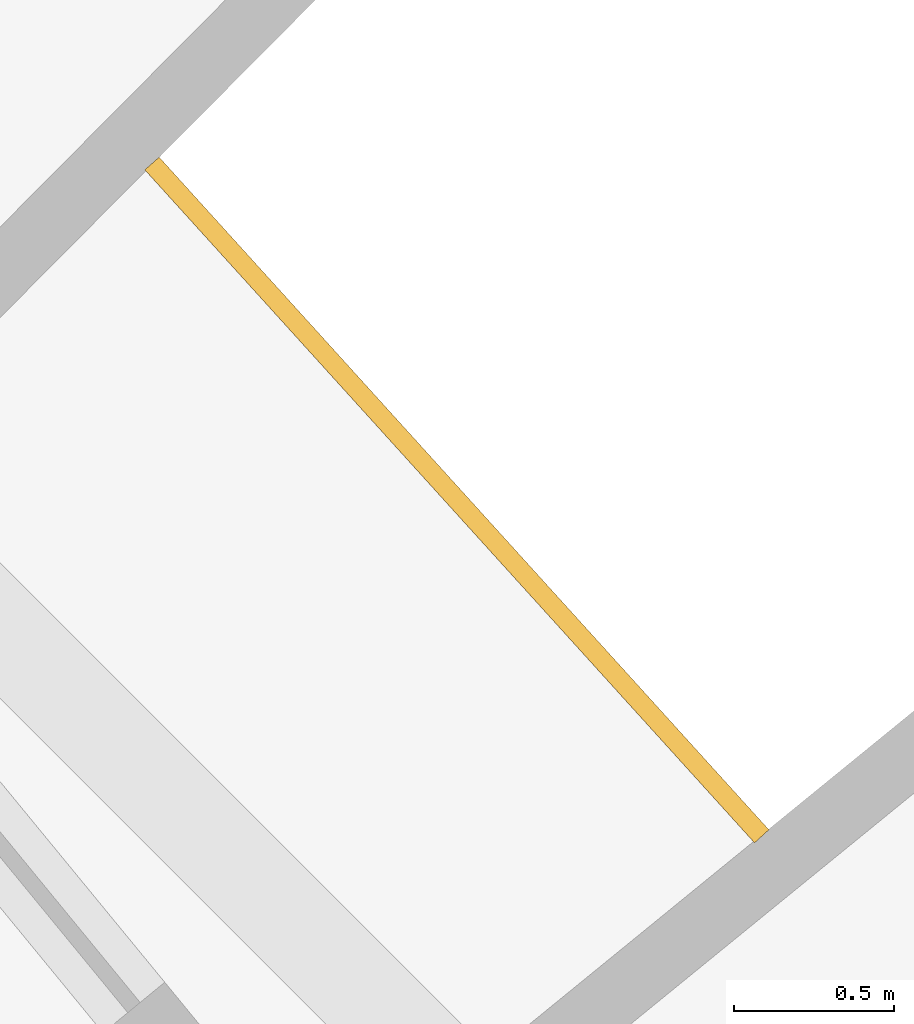
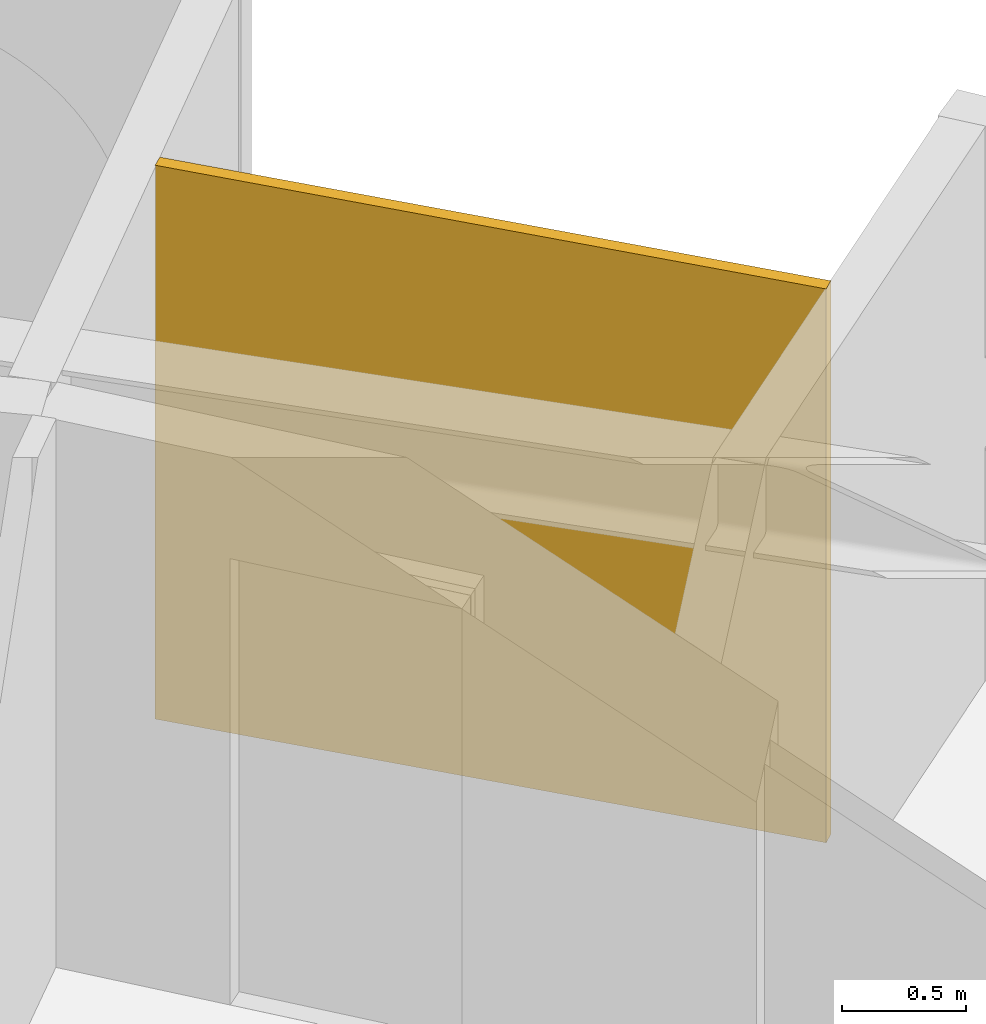
# One storey, part 27 of 27: 1 railing.
"""IFC4 building model written with IfcOpenShell, lengths in metres."""

from ifc_helpers import new_model, si_unit, direction, frame, origin, place, context, subcontext, project, spatial, polyline, outline, extrude, material, layer, layer_set, type_object, element, save


model = new_model("IFC4")

# Units and contexts
model_context = context("Model", 3, precision=1e-05, world=origin(), true_north=direction((0.0, 1.0)))
body_context = subcontext(model_context, "Body", "Model", "MODEL_VIEW")
ifc_project = project(units=[si_unit("LENGTHUNIT", "METRE"), si_unit("AREAUNIT", "SQUARE_METRE"), si_unit("VOLUMEUNIT", "CUBIC_METRE"), si_unit("PLANEANGLEUNIT", "RADIAN"), si_unit("MASSUNIT", "GRAM", prefix="KILO")], contexts=[model_context])

# Site, building, storey
site_placement = place(None, origin())
site = spatial("IfcSite", under=ifc_project, at=site_placement, CompositionType="ELEMENT")
building_placement = place(site_placement, origin())
building = spatial("IfcBuilding", under=site, at=building_placement, Name="Maasbend Ring Residences", CompositionType="ELEMENT")
storey_placement = place(building_placement, frame((0.0, 0.0, 151.300048828125)))
storey = spatial("IfcBuildingStorey", under=building, at=storey_placement, Name="L43", CompositionType="ELEMENT", Elevation=151.300048828125)

# Railing
ifc_material = material(Name="Pale anodised perforated aluminium", Category="aluminium")
ifc_layer = layer(ifc_material, 0.06005859375)
ifc_layer_set = layer_set([ifc_layer], Name="SCREEN-P")
railing_type = type_object("IfcRailingType", Name="SCREEN-P", PredefinedType="GUARDRAIL", material=ifc_layer_set)
railing_placement = place(storey_placement, frame((0.0, 0.0, -0.030029296875)))
element("IfcRailing", 1, at=railing_placement, inside=storey, type_object=railing_type, Name="Perforated screen guard 1", PredefinedType="GUARDRAIL", context=body_context, shape_type="SweptSolid", body=[
    extrude(outline(polyline([(22.4169921875, 18.39697265625), (20.506103515625, 20.506103515625), (20.551025390625, 20.5458984375), (22.4619140625, 18.43798828125), (22.4169921875, 18.39697265625)])), origin(), (0.0, 0.0, 1.0), 2.72998046875),
])

save(model, "model.ifc")
